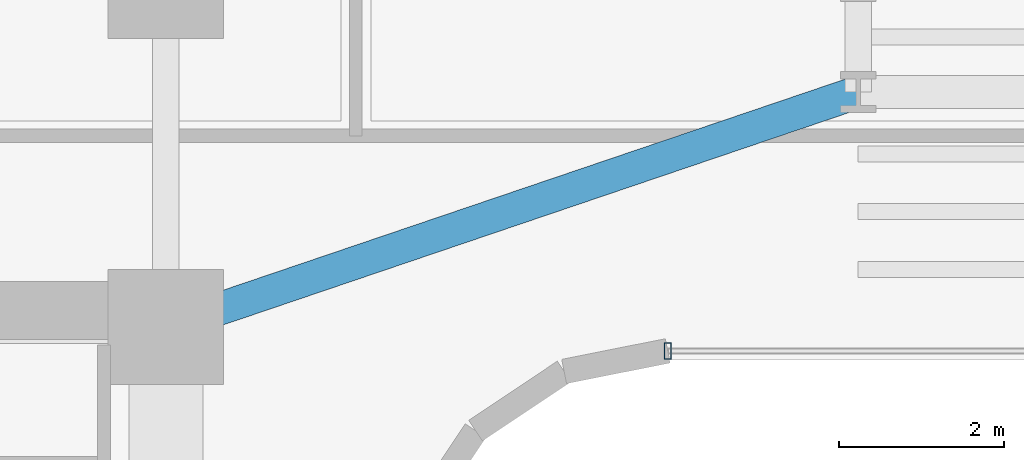
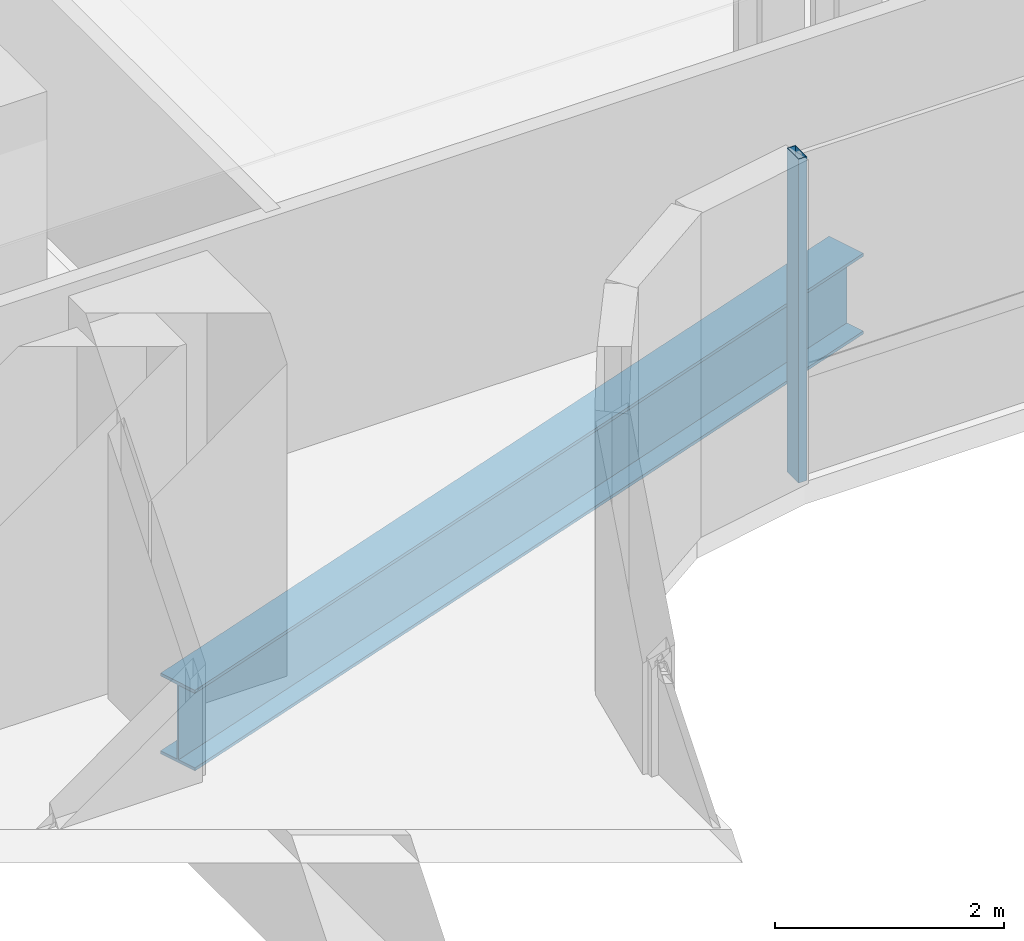
# One storey, part 11 of 39: 1 beam, 1 member, 1 element without a shape of its own.
"""IFC4 building model written with IfcOpenShell, lengths in metres."""

from ifc_helpers import new_model, si_unit, direction, frame, origin, origin_2d, place, context, subcontext, project, spatial, hollow_rectangle, i_section, extrude, source, transform, mapped, material, material_profile, profile_set, type_object, element, aggregate, save


model = new_model("IFC4")

# Units and contexts
model_context = context("Model", 3, precision=1e-05, world=origin(), true_north=direction((0.0, 1.0)))
body_context = subcontext(model_context, "Body", "Model", "MODEL_VIEW")
ifc_project = project(units=[si_unit("LENGTHUNIT", "METRE"), si_unit("AREAUNIT", "SQUARE_METRE"), si_unit("VOLUMEUNIT", "CUBIC_METRE"), si_unit("PLANEANGLEUNIT", "RADIAN"), si_unit("MASSUNIT", "GRAM", prefix="KILO")], contexts=[model_context])

# Site, building, storey
site_placement = place(None, origin())
site = spatial("IfcSite", under=ifc_project, at=site_placement, CompositionType="ELEMENT")
building_placement = place(site_placement, origin())
building = spatial("IfcBuilding", under=site, at=building_placement, Name="Valdorenza Pilgrim Sanctuary Tower", CompositionType="ELEMENT")
storey_placement = place(building_placement, frame((0.0, 0.0, 74.10009765625)))
storey = spatial("IfcBuildingStorey", under=building, at=storey_placement, Name="L18", CompositionType="ELEMENT", Elevation=74.10009765625)

# Beam
ifc_material_1 = material(Name="Steel ASTM A992 Grade 50", Category="steel")
ifc_material_profile_1 = material_profile(ifc_material_1, i_section(OverallWidth=0.39990234375, OverallDepth=0.862060546875, WebThickness=0.019775390625, FlangeThickness=0.032470703125, at=origin_2d()), Name="W33X221")
ifc_profile_set_1 = profile_set([ifc_material_profile_1], Name="Steel ASTM A992 Grade 50")
beam_type = type_object("IfcBeamType", Name="STR-BM-GRD-W33", PredefinedType="BEAM", material=ifc_profile_set_1)
shared_shape_1 = source(origin(), body_context, "Body", "SweptSolid", [
    extrude(i_section(OverallWidth=0.39990234375, OverallDepth=0.862060546875, WebThickness=0.019775390625, FlangeThickness=0.032470703125, at=origin_2d()), origin(), (0.0, 0.0, 1.0), 8.8701171875),
])
beam_placement = place(storey_placement, frame((-12.39990234375, 10.60009765625, -0.671142578125), z_axis=(0.946982588361, 0.321284885018, 0.0), x_axis=(-0.321284885018, 0.946982588361, 0.0)))
element("IfcBeam", 1, at=beam_placement, inside=storey, type_object=beam_type, Name="L18 Floor Girder KNK-G1", PredefinedType="BEAM", context=body_context, shape_type="MappedRepresentation", body=[
    mapped(shared_shape_1, transform((0.0, 0.0, 0.0), x_axis=(1.0, 0.0, 0.0), y_axis=(0.0, 1.0, 0.0), z_axis=(0.0, 0.0, 1.0), scale=1.0)),
])

# Curtain wall, member
ifc_material_2 = material(Name="Curtain-wall IGU glazing", Category="glass")
curtain_wall_type = type_object("IfcCurtainWallType", Name="CW-SYS-02", PredefinedType="NOTDEFINED", material=ifc_material_2)
curtain_wall_placement = place(storey_placement, origin())
curtain_wall = element("IfcCurtainWall", 2, at=curtain_wall_placement, inside=storey, type_object=curtain_wall_type, Name="L18 Curtain Wall CW-L18-1-36", PredefinedType="NOTDEFINED")
ifc_material_3 = material(Name="Anodised aluminium AW-6060", Category="aluminium")
ifc_material_profile_2 = material_profile(ifc_material_3, hollow_rectangle(XDim=0.0849609375, YDim=0.199951171875, WallThickness=0.0048828125, at=origin_2d()), Name="ALU-M 200x85x5")
ifc_profile_set_2 = profile_set([ifc_material_profile_2], Name="Anodised aluminium AW-6060")
member_type = type_object("IfcMemberType", Name="CW-MUL-02", PredefinedType="MULLION", material=ifc_profile_set_2)
shared_shape_2 = source(origin(), body_context, "Body", "SweptSolid", [
    extrude(hollow_rectangle(XDim=0.0849609375, YDim=0.199951171875, WallThickness=0.0048828125, at=origin_2d()), origin(), (0.0, 0.0, 1.0), 3.4599609375),
])
member_placement = place(storey_placement, frame((-6.310791015625, 10.31005859375, 0.0), z_axis=(0.0, 0.0, 1.0), x_axis=(-1.0, 0.0, 0.0)))
member = element("IfcMember", 3, at=member_placement, type_object=member_type, Name="CW-L18-1-36 Mullion 4", PredefinedType="MULLION", context=body_context, shape_type="MappedRepresentation", body=[
    mapped(shared_shape_2, transform((0.0, 0.0, 0.0), x_axis=(1.0, 0.0, 0.0), y_axis=(0.0, 1.0, 0.0), z_axis=(0.0, 0.0, 1.0), scale=1.0)),
])
aggregate(curtain_wall, [member])

save(model, "model.ifc")
